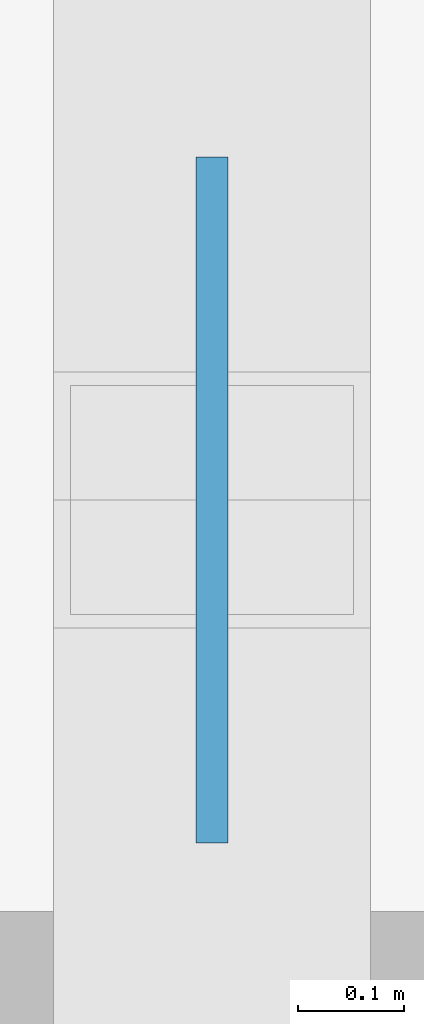
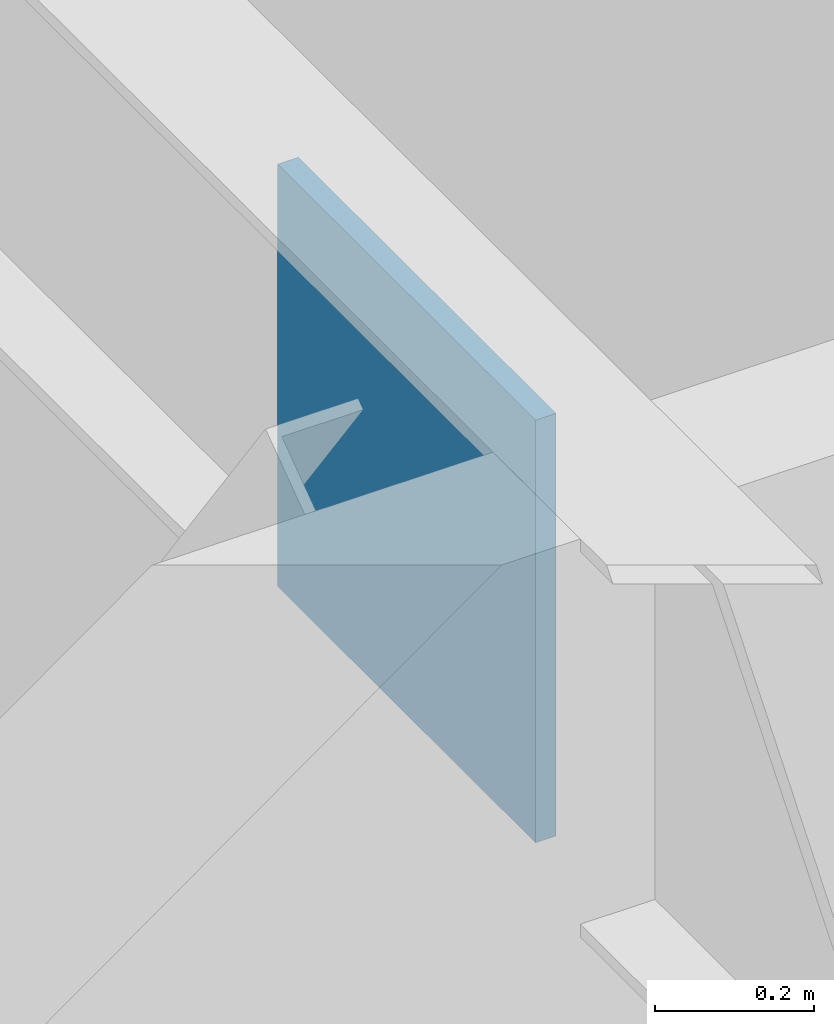
# One storey, part 32 of 51: 1 plate.
"""IFC4 building model written with IfcOpenShell, lengths in metres."""

import ifcopenshell
import ifcopenshell.guid

model = None  # the IFC model being written
_history = None  # IfcOwnerHistory: only IFC2X3 demands one
_inside = {}  # id of a spatial element -> (the spatial element, [elements in it])
_under = {}  # id of a project, library or spatial element -> (it, [spatial elements below it])
_declared = {}  # id of a project -> (the project, [libraries it declares])
_typed = {}  # id of a type object -> (the type object, [elements of that type])
_made_of = {}  # id of a material, layer set ... -> (it, [elements and type objects made of it])


def new_model(schema):
    """Start an empty IFC model of exactly this schema.

    Asked for "IFC4X3", IfcOpenShell would pick the latest addendum, in which some entities
    have other attributes; the version numbers below select the first issue.
    IFC2X3 requires an IfcOwnerHistory on every rooted entity: one is made here for all.
    """
    global model, _history
    if schema == "IFC4X3":
        model = ifcopenshell.file(schema_version=(4, 3, 0, 0))
    else:
        model = ifcopenshell.file(schema=schema)
    _inside.clear()
    _under.clear()
    _declared.clear()
    _typed.clear()
    _made_of.clear()
    _history = None
    if model.schema == "IFC2X3":
        org = make("IfcOrganization", Name="unknown")
        user = make(
            "IfcPersonAndOrganization",
            ThePerson=make("IfcPerson", FamilyName="unknown"),
            TheOrganization=org,
        )
        app = make(
            "IfcApplication",
            ApplicationDeveloper=org,
            Version="unknown",
            ApplicationFullName="unknown",
            ApplicationIdentifier="unknown",
        )
        _history = make(
            "IfcOwnerHistory",
            OwningUser=user,
            OwningApplication=app,
            ChangeAction="ADDED",
            CreationDate=0,
        )
    return model


def make(cls, **values):
    """One entity of the class cls with the attributes given. An attribute that is None is left unset."""
    return model.create_entity(
        cls, **{name: value for name, value in values.items() if value is not None}
    )


def rooted(cls, **values):
    """An entity with a GlobalId (a new one), such as an element, a storey or a relation."""
    return make(cls, GlobalId=ifcopenshell.guid.new(), OwnerHistory=_history, **values)


def si_unit(unit_type, name, prefix=None):
    """IfcSIUnit, for example si_unit("LENGTHUNIT", "METRE", prefix="MILLI")."""
    return make("IfcSIUnit", UnitType=unit_type, Prefix=prefix, Name=name)


def assignment(units):
    """IfcUnitAssignment: the units of a project."""
    return None if units is None else make("IfcUnitAssignment", Units=units)


def point(xyz):
    """IfcCartesianPoint."""
    return None if xyz is None else make("IfcCartesianPoint", Coordinates=xyz)


def direction(xyz):
    """IfcDirection."""
    return None if xyz is None else make("IfcDirection", DirectionRatios=xyz)


def frame(location, z_axis=None, x_axis=None):
    """IfcAxis2Placement3D, a coordinate frame: its origin and axes. An axis left out is left unset."""
    return make(
        "IfcAxis2Placement3D",
        Location=point(location),
        Axis=direction(z_axis),
        RefDirection=direction(x_axis),
    )


def frame_2d(location, x_axis=None):
    """IfcAxis2Placement2D, a coordinate frame in the plane: its origin and x axis."""
    return make(
        "IfcAxis2Placement2D", Location=point(location), RefDirection=direction(x_axis)
    )


def origin():
    """The frame at (0, 0, 0) with its axes left unset."""
    return frame((0.0, 0.0, 0.0))


def origin_2d():
    """The frame at (0, 0) in the plane with its x axis left unset."""
    return frame_2d((0.0, 0.0))


def place(relative_to, where):
    """IfcLocalPlacement: puts the frame where relative to a parent placement (None: the world)."""
    return make(
        "IfcLocalPlacement", PlacementRelTo=relative_to, RelativePlacement=where
    )


def context(
    kind, dimensions, precision=None, world=None, true_north=None, identifier=None
):
    """IfcGeometricRepresentationContext, for example the 3D "Model" context."""
    return make(
        "IfcGeometricRepresentationContext",
        ContextIdentifier=identifier,
        ContextType=kind,
        CoordinateSpaceDimension=dimensions,
        Precision=precision,
        WorldCoordinateSystem=world,
        TrueNorth=true_north,
    )


def subcontext(parent, identifier, kind, view, scale=None):
    """IfcGeometricRepresentationSubContext, for example "Body" below "Model"."""
    return make(
        "IfcGeometricRepresentationSubContext",
        ContextIdentifier=identifier,
        ContextType=kind,
        ParentContext=parent,
        TargetScale=scale,
        TargetView=view,
    )


def project(units=None, contexts=None):
    """IfcProject with its units and contexts."""
    return rooted(
        "IfcProject",
        Name="project",
        RepresentationContexts=contexts,
        UnitsInContext=assignment(units),
    )


def spatial(cls, under=None, at=None, **own):
    """A site, building, storey or space (cls), placed at a placement, below another one or the project."""
    s = rooted(cls, ObjectPlacement=at, **own)
    if under is not None:
        _under.setdefault(under.id(), (under, []))[1].append(s)
    return s


def profile(cls, at=None, kind="AREA", **sizes):
    """A parametric profile (cls). Its sizes go by their IFC names, for example OverallWidth=200.0."""
    return make(cls, ProfileType=kind, Position=at, **sizes)


def rectangle(**sizes):
    """IfcRectangleProfileDef."""
    return profile("IfcRectangleProfileDef", **sizes)


def extrude(swept, where, along, depth):
    """IfcExtrudedAreaSolid: the profile swept, set in the frame where, extruded along a direction by depth."""
    return make(
        "IfcExtrudedAreaSolid",
        SweptArea=swept,
        Position=where,
        ExtrudedDirection=direction(along),
        Depth=depth,
    )


def shape(context_of_items, identifier, shape_type, items):
    """IfcShapeRepresentation: the items that make up one representation, for example the "Body"."""
    return make(
        "IfcShapeRepresentation",
        ContextOfItems=context_of_items,
        RepresentationIdentifier=identifier,
        RepresentationType=shape_type,
        Items=items,
    )


def material(Name=None, Category=None):
    """IfcMaterial."""
    return make("IfcMaterial", Name=Name, Category=Category)


def layer(
    of_material, thickness, ventilated=None, Name=None, Category=None, Priority=None
):
    """IfcMaterialLayer: one layer of a wall or slab, of a material (None: an air gap)."""
    return make(
        "IfcMaterialLayer",
        Material=of_material,
        LayerThickness=thickness,
        IsVentilated=ventilated,
        Name=Name,
        Category=Category,
        Priority=Priority,
    )


def layer_set(layers, Name=None):
    """IfcMaterialLayerSet."""
    return make("IfcMaterialLayerSet", MaterialLayers=layers, LayerSetName=Name)


def made_of(thing, what):
    """Note that an element or type object is made of a material, layer set ...; save() writes the relation."""
    if what is not None:
        _made_of.setdefault(what.id(), (what, []))[1].append(thing)
    return thing


def type_object(cls, material=None, **own):
    """A type object (cls), such as IfcWallType, which elements share."""
    return made_of(rooted(cls, **own), material)


def element(
    cls,
    number,
    at=None,
    inside=None,
    cuts=None,
    type_object=None,
    material=None,
    context=None,
    identifier="Body",
    shape_type=None,
    held_by="IfcProductDefinitionShape",
    body=None,
    shapes=None,
    **own,
):
    """One element of the class cls, such as IfcWall. Its Tag is "e" and its number.

    at: its placement. inside: the storey or other place that contains it. cuts: it is an
    opening in that element (IfcRelVoidsElement). A single representation is given by context,
    identifier, shape_type and body (its items); several are given by shapes. held_by: the class
    of the entity that holds the representations. save() writes the other relations.
    """
    e = rooted(cls, Tag="e%d" % number, ObjectPlacement=at, **own)
    if body is not None:
        shapes = [shape(context, identifier, shape_type, body)]
    if shapes is not None:
        e.Representation = make(held_by, Representations=shapes)
    if inside is not None:
        _inside.setdefault(inside.id(), (inside, []))[1].append(e)
    if cuts is not None:
        rooted(
            "IfcRelVoidsElement", RelatingBuildingElement=cuts, RelatedOpeningElement=e
        )
    if type_object is not None:
        _typed.setdefault(type_object.id(), (type_object, []))[1].append(e)
    return made_of(e, material)


def aggregate(whole, parts):
    """IfcRelAggregates: a whole, such as a stair, and the parts it consists of."""
    return rooted("IfcRelAggregates", RelatingObject=whole, RelatedObjects=parts)


def save(model, path):
    """Write the relations noted so far, then the file.

    IfcRelAggregates (storeys below a building ...), IfcRelContainedInSpatialStructure (elements
    in a storey), IfcRelDefinesByType, IfcRelAssociatesMaterial and IfcRelDeclares: one each for
    every whole, place, type object, material and project.
    """
    for whole, parts in _under.values():
        aggregate(whole, parts)
    for where, things in _inside.values():
        rooted(
            "IfcRelContainedInSpatialStructure",
            RelatedElements=things,
            RelatingStructure=where,
        )
    for kind, things in _typed.values():
        rooted("IfcRelDefinesByType", RelatedObjects=things, RelatingType=kind)
    for what, things in _made_of.values():
        rooted("IfcRelAssociatesMaterial", RelatedObjects=things, RelatingMaterial=what)
    for by, libraries in _declared.values():
        rooted("IfcRelDeclares", RelatingContext=by, RelatedDefinitions=libraries)
    model.write(path)


model = new_model("IFC4")

# Units and contexts
model_context = context("Model", 3, precision=1e-05, world=origin(), true_north=direction((0.0, 1.0)))
body_context = subcontext(model_context, "Body", "Model", "MODEL_VIEW")
ifc_project = project(units=[si_unit("LENGTHUNIT", "METRE"), si_unit("AREAUNIT", "SQUARE_METRE"), si_unit("VOLUMEUNIT", "CUBIC_METRE"), si_unit("PLANEANGLEUNIT", "RADIAN"), si_unit("MASSUNIT", "GRAM", prefix="KILO")], contexts=[model_context])

# Site, building, storey
site_placement = place(None, origin())
site = spatial("IfcSite", under=ifc_project, at=site_placement, CompositionType="ELEMENT")
building_placement = place(site_placement, origin())
building = spatial("IfcBuilding", under=site, at=building_placement, Name="Varnela Railside Interchange", CompositionType="ELEMENT")
storey_placement = place(building_placement, origin())
storey = spatial("IfcBuildingStorey", under=building, at=storey_placement, Name="L00", CompositionType="ELEMENT", Elevation=0.0)

# Plate
ifc_material = material(Name="Steel AR 350 (350 MPa)", Category="steel")
ifc_layer = layer(ifc_material, 0.64990234375)
ifc_layer_set = layer_set([ifc_layer], Name="Steel AR 350 (350 MPa)")
plate_type = type_object("IfcPlateType", Name="Brace Gusset Plate GP-01", PredefinedType="SHEET", material=ifc_layer_set)
plate_placement = place(storey_placement, frame((124.0, 74.0, 5.344970703125), z_axis=(0.0, 0.0, 1.0), x_axis=(0.0, 1.0, 0.0)))
element("IfcPlate", 1, at=plate_placement, inside=storey, type_object=plate_type, Name="Brace Gusset Plate GP-01 (L00) (PL-005)", PredefinedType="SHEET", context=body_context, shape_type="SweptSolid", body=[
    extrude(rectangle(XDim=0.64990234375, YDim=0.030029296875, at=origin_2d()), origin(), (0.0, 0.0, 1.0), 0.64990234375),
])

save(model, "model.ifc")
